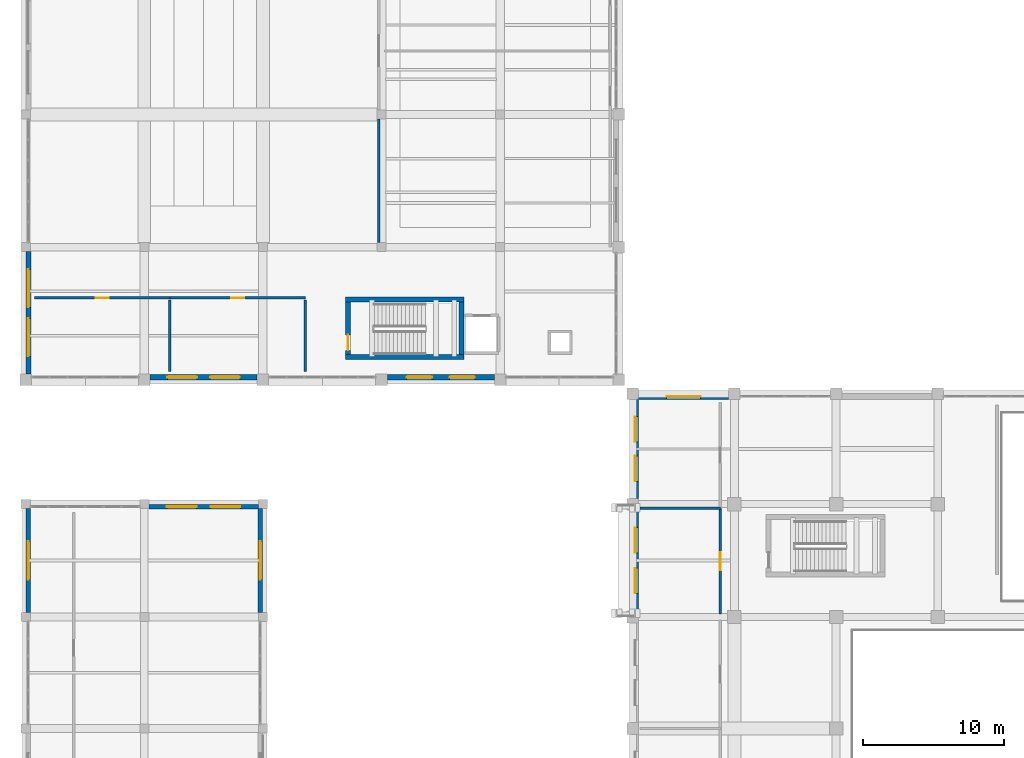
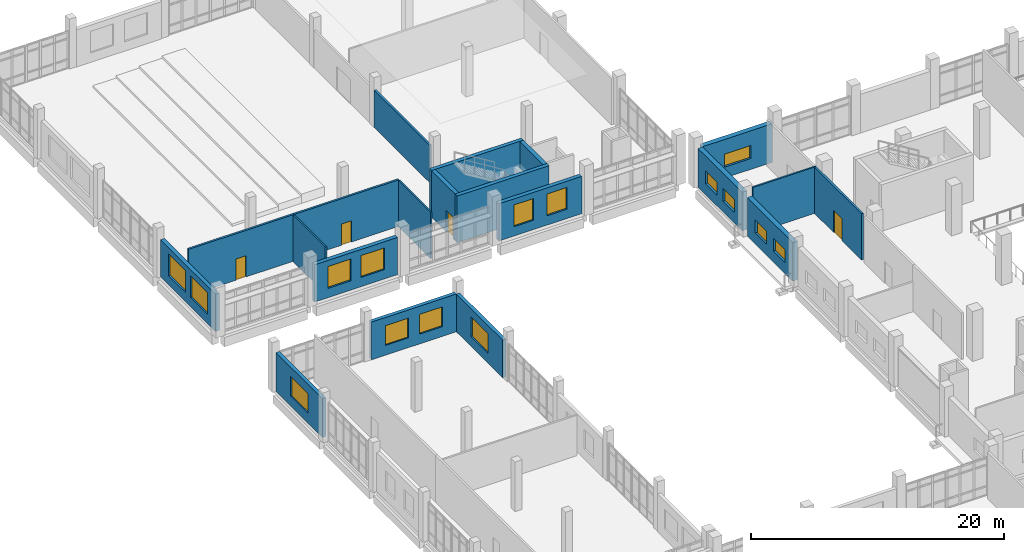
# One storey, part 68 of 90: 20 walls, 15 windows, 4 doors, 19 openings.
"""IFC4 building model written with IfcOpenShell, lengths in metres."""

import ifcopenshell
import ifcopenshell.guid

model = None  # the IFC model being written
_history = None  # IfcOwnerHistory: only IFC2X3 demands one
_inside = {}  # id of a spatial element -> (the spatial element, [elements in it])
_under = {}  # id of a project, library or spatial element -> (it, [spatial elements below it])
_declared = {}  # id of a project -> (the project, [libraries it declares])
_typed = {}  # id of a type object -> (the type object, [elements of that type])
_made_of = {}  # id of a material, layer set ... -> (it, [elements and type objects made of it])


def new_model(schema):
    """Start an empty IFC model of exactly this schema.

    Asked for "IFC4X3", IfcOpenShell would pick the latest addendum, in which some entities
    have other attributes; the version numbers below select the first issue.
    IFC2X3 requires an IfcOwnerHistory on every rooted entity: one is made here for all.
    """
    global model, _history
    if schema == "IFC4X3":
        model = ifcopenshell.file(schema_version=(4, 3, 0, 0))
    else:
        model = ifcopenshell.file(schema=schema)
    _inside.clear()
    _under.clear()
    _declared.clear()
    _typed.clear()
    _made_of.clear()
    _history = None
    if model.schema == "IFC2X3":
        org = make("IfcOrganization", Name="unknown")
        user = make(
            "IfcPersonAndOrganization",
            ThePerson=make("IfcPerson", FamilyName="unknown"),
            TheOrganization=org,
        )
        app = make(
            "IfcApplication",
            ApplicationDeveloper=org,
            Version="unknown",
            ApplicationFullName="unknown",
            ApplicationIdentifier="unknown",
        )
        _history = make(
            "IfcOwnerHistory",
            OwningUser=user,
            OwningApplication=app,
            ChangeAction="ADDED",
            CreationDate=0,
        )
    return model


def make(cls, **values):
    """One entity of the class cls with the attributes given. An attribute that is None is left unset."""
    return model.create_entity(
        cls, **{name: value for name, value in values.items() if value is not None}
    )


def rooted(cls, **values):
    """An entity with a GlobalId (a new one), such as an element, a storey or a relation."""
    return make(cls, GlobalId=ifcopenshell.guid.new(), OwnerHistory=_history, **values)


def si_unit(unit_type, name, prefix=None):
    """IfcSIUnit, for example si_unit("LENGTHUNIT", "METRE", prefix="MILLI")."""
    return make("IfcSIUnit", UnitType=unit_type, Prefix=prefix, Name=name)


def assignment(units):
    """IfcUnitAssignment: the units of a project."""
    return None if units is None else make("IfcUnitAssignment", Units=units)


def point(xyz):
    """IfcCartesianPoint."""
    return None if xyz is None else make("IfcCartesianPoint", Coordinates=xyz)


def direction(xyz):
    """IfcDirection."""
    return None if xyz is None else make("IfcDirection", DirectionRatios=xyz)


def frame(location, z_axis=None, x_axis=None):
    """IfcAxis2Placement3D, a coordinate frame: its origin and axes. An axis left out is left unset."""
    return make(
        "IfcAxis2Placement3D",
        Location=point(location),
        Axis=direction(z_axis),
        RefDirection=direction(x_axis),
    )


def frame_2d(location, x_axis=None):
    """IfcAxis2Placement2D, a coordinate frame in the plane: its origin and x axis."""
    return make(
        "IfcAxis2Placement2D", Location=point(location), RefDirection=direction(x_axis)
    )


def origin():
    """The frame at (0, 0, 0) with its axes left unset."""
    return frame((0.0, 0.0, 0.0))


def place(relative_to, where):
    """IfcLocalPlacement: puts the frame where relative to a parent placement (None: the world)."""
    return make(
        "IfcLocalPlacement", PlacementRelTo=relative_to, RelativePlacement=where
    )


def context(
    kind, dimensions, precision=None, world=None, true_north=None, identifier=None
):
    """IfcGeometricRepresentationContext, for example the 3D "Model" context."""
    return make(
        "IfcGeometricRepresentationContext",
        ContextIdentifier=identifier,
        ContextType=kind,
        CoordinateSpaceDimension=dimensions,
        Precision=precision,
        WorldCoordinateSystem=world,
        TrueNorth=true_north,
    )


def subcontext(parent, identifier, kind, view, scale=None):
    """IfcGeometricRepresentationSubContext, for example "Body" below "Model"."""
    return make(
        "IfcGeometricRepresentationSubContext",
        ContextIdentifier=identifier,
        ContextType=kind,
        ParentContext=parent,
        TargetScale=scale,
        TargetView=view,
    )


def project(units=None, contexts=None):
    """IfcProject with its units and contexts."""
    return rooted(
        "IfcProject",
        Name="project",
        RepresentationContexts=contexts,
        UnitsInContext=assignment(units),
    )


def spatial(cls, under=None, at=None, **own):
    """A site, building, storey or space (cls), placed at a placement, below another one or the project."""
    s = rooted(cls, ObjectPlacement=at, **own)
    if under is not None:
        _under.setdefault(under.id(), (under, []))[1].append(s)
    return s


def profile(cls, at=None, kind="AREA", **sizes):
    """A parametric profile (cls). Its sizes go by their IFC names, for example OverallWidth=200.0."""
    return make(cls, ProfileType=kind, Position=at, **sizes)


def rectangle(**sizes):
    """IfcRectangleProfileDef."""
    return profile("IfcRectangleProfileDef", **sizes)


def extrude(swept, where, along, depth):
    """IfcExtrudedAreaSolid: the profile swept, set in the frame where, extruded along a direction by depth."""
    return make(
        "IfcExtrudedAreaSolid",
        SweptArea=swept,
        Position=where,
        ExtrudedDirection=direction(along),
        Depth=depth,
    )


def shape(context_of_items, identifier, shape_type, items):
    """IfcShapeRepresentation: the items that make up one representation, for example the "Body"."""
    return make(
        "IfcShapeRepresentation",
        ContextOfItems=context_of_items,
        RepresentationIdentifier=identifier,
        RepresentationType=shape_type,
        Items=items,
    )


def material(Name=None, Category=None):
    """IfcMaterial."""
    return make("IfcMaterial", Name=Name, Category=Category)


def layer(
    of_material, thickness, ventilated=None, Name=None, Category=None, Priority=None
):
    """IfcMaterialLayer: one layer of a wall or slab, of a material (None: an air gap)."""
    return make(
        "IfcMaterialLayer",
        Material=of_material,
        LayerThickness=thickness,
        IsVentilated=ventilated,
        Name=Name,
        Category=Category,
        Priority=Priority,
    )


def layer_set(layers, Name=None):
    """IfcMaterialLayerSet."""
    return make("IfcMaterialLayerSet", MaterialLayers=layers, LayerSetName=Name)


def made_of(thing, what):
    """Note that an element or type object is made of a material, layer set ...; save() writes the relation."""
    if what is not None:
        _made_of.setdefault(what.id(), (what, []))[1].append(thing)
    return thing


def type_object(cls, material=None, **own):
    """A type object (cls), such as IfcWallType, which elements share."""
    return made_of(rooted(cls, **own), material)


def element(
    cls,
    number,
    at=None,
    inside=None,
    cuts=None,
    type_object=None,
    material=None,
    context=None,
    identifier="Body",
    shape_type=None,
    held_by="IfcProductDefinitionShape",
    body=None,
    shapes=None,
    **own,
):
    """One element of the class cls, such as IfcWall. Its Tag is "e" and its number.

    at: its placement. inside: the storey or other place that contains it. cuts: it is an
    opening in that element (IfcRelVoidsElement). A single representation is given by context,
    identifier, shape_type and body (its items); several are given by shapes. held_by: the class
    of the entity that holds the representations. save() writes the other relations.
    """
    e = rooted(cls, Tag="e%d" % number, ObjectPlacement=at, **own)
    if body is not None:
        shapes = [shape(context, identifier, shape_type, body)]
    if shapes is not None:
        e.Representation = make(held_by, Representations=shapes)
    if inside is not None:
        _inside.setdefault(inside.id(), (inside, []))[1].append(e)
    if cuts is not None:
        rooted(
            "IfcRelVoidsElement", RelatingBuildingElement=cuts, RelatedOpeningElement=e
        )
    if type_object is not None:
        _typed.setdefault(type_object.id(), (type_object, []))[1].append(e)
    return made_of(e, material)


def fill(opening, filler):
    """IfcRelFillsElement: the door or window that sits in an opening."""
    return rooted(
        "IfcRelFillsElement",
        RelatingOpeningElement=opening,
        RelatedBuildingElement=filler,
    )


def aggregate(whole, parts):
    """IfcRelAggregates: a whole, such as a stair, and the parts it consists of."""
    return rooted("IfcRelAggregates", RelatingObject=whole, RelatedObjects=parts)


def save(model, path):
    """Write the relations noted so far, then the file.

    IfcRelAggregates (storeys below a building ...), IfcRelContainedInSpatialStructure (elements
    in a storey), IfcRelDefinesByType, IfcRelAssociatesMaterial and IfcRelDeclares: one each for
    every whole, place, type object, material and project.
    """
    for whole, parts in _under.values():
        aggregate(whole, parts)
    for where, things in _inside.values():
        rooted(
            "IfcRelContainedInSpatialStructure",
            RelatedElements=things,
            RelatingStructure=where,
        )
    for kind, things in _typed.values():
        rooted("IfcRelDefinesByType", RelatedObjects=things, RelatingType=kind)
    for what, things in _made_of.values():
        rooted("IfcRelAssociatesMaterial", RelatedObjects=things, RelatingMaterial=what)
    for by, libraries in _declared.values():
        rooted("IfcRelDeclares", RelatingContext=by, RelatedDefinitions=libraries)
    model.write(path)


model = new_model("IFC4")

# Units and contexts
model_context = context("Model", 3, precision=1e-05, world=origin(), true_north=direction((0.0, 1.0)))
body_context = subcontext(model_context, "Body", "Model", "MODEL_VIEW")
ifc_project = project(units=[si_unit("LENGTHUNIT", "METRE"), si_unit("AREAUNIT", "SQUARE_METRE"), si_unit("VOLUMEUNIT", "CUBIC_METRE"), si_unit("PLANEANGLEUNIT", "RADIAN"), si_unit("MASSUNIT", "GRAM", prefix="KILO")], contexts=[model_context])

# Site, building, storey
site_placement = place(None, origin())
site = spatial("IfcSite", under=ifc_project, at=site_placement, CompositionType="ELEMENT")
building_placement = place(site_placement, origin())
building = spatial("IfcBuilding", under=site, at=building_placement, Name="Kelarvand Opera House", CompositionType="ELEMENT")
storey_placement = place(building_placement, frame((0.0, 0.0, 5.39990234375)))
storey = spatial("IfcBuildingStorey", under=building, at=storey_placement, Name="L01", CompositionType="ELEMENT", Elevation=5.39990234375)

# Walls
ifc_material_1 = material(Name="Acoustic double-stud gypsum partition")
ifc_layer_1 = layer(ifc_material_1, 0.14990234375, Name="Acoustic double-stud gypsum partition")
ifc_layer_set_1 = layer_set([ifc_layer_1], Name="Acoustic double-stud gypsum partition")
wall_type_1 = type_object("IfcWallType", Name="Acoustic Room Partition Wall 150", PredefinedType="PARTITIONING", material=ifc_layer_set_1)
wall_1_placement = place(storey_placement, frame((52.5, 78.10009765625, 0.0), z_axis=(0.0, 0.0, 1.0), x_axis=(1.0, 0.0, 0.0)))
element("IfcWall", 1, at=wall_1_placement, inside=storey, type_object=wall_type_1, Name="V2 L01 Partition Wall IW-150 (390)", PredefinedType="PARTITIONING", context=body_context, shape_type="SweptSolid", body=[
    extrude(rectangle(XDim=5.699951171875, YDim=0.14990234375, at=frame_2d((2.85009765625, 0.0))), origin(), (0.0, 0.0, 1.0), 4.47216796875),
])
for number, where, z_axis, x_axis, name in (
    (2, (19.199951171875, 87.800048828125, 0.0), (0.0, 0.0, 1.0), (0.0, 1.0, 0.0), "V3 L01 Partition Wall IW-150 (400)"),
    (3, (28.800048828125, 87.800048828125, 0.0), (0.0, 0.0, 1.0), (0.0, 1.0, 0.0), "V3 L01 Partition Wall IW-150 (401)"),
):
    element("IfcWall", number, at=place(storey_placement, frame(where, z_axis=z_axis, x_axis=x_axis)), inside=storey, type_object=wall_type_1, Name=name, PredefinedType="PARTITIONING", context=body_context, shape_type="SweptSolid", body=[
        extrude(rectangle(XDim=5.06005859375, YDim=0.14990234375, at=frame_2d((2.530029296875, 0.0))), origin(), (0.0, 0.0, 1.0), 4.4921875),
    ])

# Wall, openings, windows
ifc_material_2 = material(Name="Concrete C35/45", Category="concrete")
ifc_layer_2 = layer(ifc_material_2, 0.360107421875, Name="Concrete C35/45", Category="concrete")
ifc_layer_set_2 = layer_set([ifc_layer_2], Name="Concrete C35/45")
wall_type_2 = type_object("IfcWallType", Name="Azarshahr Travertine Cavity Wall 360", PredefinedType="SOLIDWALL", material=ifc_layer_set_2)
wall_2_placement = place(storey_placement, frame((9.179931640625, 87.610107421875, 0.0), z_axis=(0.0, 0.0, 1.0), x_axis=(0.0, 1.0, 0.0)))
wall_2 = element("IfcWall", 4, at=wall_2_placement, inside=storey, type_object=wall_type_2, Name="V3 L01 Exterior Wall EW-360 (410)", PredefinedType="SOLIDWALL", context=body_context, shape_type="SweptSolid", body=[
    extrude(rectangle(XDim=8.664794921875, YDim=0.360107421875, at=frame_2d((4.33251953125, 0.0))), origin(), (0.0, 0.0, 1.0), 3.592041015625),
])
opening_1_placement = place(wall_2_placement, frame((1.25, 0.0, 0.89990234375)))
opening_1 = element("IfcOpeningElement", 5, at=opening_1_placement, cuts=wall_2, Name="Opening WN-08", PredefinedType="OPENING", context=body_context, shape_type="SweptSolid", body=[
    extrude(rectangle(XDim=2.699951171875, YDim=2.10009765625, at=frame_2d((1.35009765625, 1.050048828125))), frame((0.0, 0.18994140625, 0.0), z_axis=(0.0, -1.0, 0.0), x_axis=(1.0, 0.0, 0.0)), (0.0, 0.0, 1.0), 0.380126953125),
])
opening_2_placement = place(wall_2_placement, frame((4.716064453125, 0.0, 0.89990234375)))
opening_2 = element("IfcOpeningElement", 6, at=opening_2_placement, cuts=wall_2, Name="Opening WN-08", PredefinedType="OPENING", context=body_context, shape_type="SweptSolid", body=[
    extrude(rectangle(XDim=2.699951171875, YDim=2.10009765625, at=frame_2d((1.35009765625, 1.050048828125))), frame((0.0, 0.18994140625, 0.0), z_axis=(0.0, -1.0, 0.0), x_axis=(1.0, 0.0, 0.0)), (0.0, 0.0, 1.0), 0.380126953125),
])
ifc_material_3 = material(Name="Thermally broken aluminium and low-E double glazing", Category="aluminium")
window_type_1 = type_object("IfcWindowType", Name="Recessed Aluminium Thermal Window 2700x2100 WN-08", PartitioningType="SINGLE_PANEL", PredefinedType="WINDOW", material=ifc_material_3)
window_1_placement = place(opening_1_placement, origin())
window_1 = element("IfcWindow", 7, at=window_1_placement, inside=storey, type_object=window_type_1, Name="V3 L01 Facade Window WN-08 (164)", OverallHeight=2.10009765625, OverallWidth=2.699951171875, PartitioningType="SINGLE_PANEL", PredefinedType="WINDOW", context=body_context, shape_type="SweptSolid", body=[
    extrude(rectangle(XDim=2.699951171875, YDim=2.10009765625, at=frame_2d((1.35009765625, 1.050048828125))), frame((0.0, 0.030029296875, 0.0), z_axis=(0.0, -1.0, 0.0), x_axis=(1.0, 0.0, 0.0)), (0.0, 0.0, 1.0), 0.06005859375),
])
fill(opening_1, window_1)
window_2_placement = place(opening_2_placement, origin())
window_2 = element("IfcWindow", 8, at=window_2_placement, inside=storey, type_object=window_type_1, Name="V3 L01 Facade Window WN-08 (165)", OverallHeight=2.10009765625, OverallWidth=2.699951171875, PartitioningType="SINGLE_PANEL", PredefinedType="WINDOW", context=body_context, shape_type="SweptSolid", body=[
    extrude(rectangle(XDim=2.699951171875, YDim=2.10009765625, at=frame_2d((1.35009765625, 1.050048828125))), frame((0.0, 0.030029296875, 0.0), z_axis=(0.0, -1.0, 0.0), x_axis=(1.0, 0.0, 0.0)), (0.0, 0.0, 1.0), 0.06005859375),
])
fill(opening_2, window_2)

wall_3_placement = place(storey_placement, frame((42.18994140625, 87.3798828125, 0.0), z_axis=(0.0, 0.0, 1.0), x_axis=(-1.0, 0.0, 0.0)))
wall_3 = element("IfcWall", 9, at=wall_3_placement, inside=storey, type_object=wall_type_2, Name="V3 L01 Exterior Wall EW-360 (412)", PredefinedType="SOLIDWALL", context=body_context, shape_type="SweptSolid", body=[
    extrude(rectangle(XDim=7.579833984375, YDim=0.360107421875, at=frame_2d((3.7900390625, 0.0))), origin(), (0.0, 0.0, 1.0), 3.592041015625),
])
opening_3_placement = place(wall_3_placement, frame((1.3740234375, 0.0, 0.89990234375)))
opening_3 = element("IfcOpeningElement", 10, at=opening_3_placement, cuts=wall_3, Name="Opening WN-05", PredefinedType="OPENING", context=body_context, shape_type="SweptSolid", body=[
    extrude(rectangle(XDim=1.800048828125, YDim=2.10009765625, at=frame_2d((0.89990234375, 1.050048828125))), frame((0.0, 0.18994140625, 0.0), z_axis=(0.0, -1.0, 0.0), x_axis=(1.0, 0.0, 0.0)), (0.0, 0.0, 1.0), 0.380126953125),
])
opening_4_placement = place(wall_3_placement, frame((4.406005859375, 0.0, 0.89990234375)))
opening_4 = element("IfcOpeningElement", 11, at=opening_4_placement, cuts=wall_3, Name="Opening WN-05", PredefinedType="OPENING", context=body_context, shape_type="SweptSolid", body=[
    extrude(rectangle(XDim=1.800048828125, YDim=2.10009765625, at=frame_2d((0.89990234375, 1.050048828125))), frame((0.0, 0.18994140625, 0.0), z_axis=(0.0, -1.0, 0.0), x_axis=(1.0, 0.0, 0.0)), (0.0, 0.0, 1.0), 0.380126953125),
])
window_type_2 = type_object("IfcWindowType", Name="Recessed Aluminium Thermal Window 1800x2100 WN-05", PartitioningType="SINGLE_PANEL", PredefinedType="WINDOW", material=ifc_material_3)
window_3_placement = place(opening_3_placement, origin())
window_3 = element("IfcWindow", 12, at=window_3_placement, inside=storey, type_object=window_type_2, Name="V3 L01 Facade Window WN-05 (168)", OverallHeight=2.10009765625, OverallWidth=1.800048828125, PartitioningType="SINGLE_PANEL", PredefinedType="WINDOW", context=body_context, shape_type="SweptSolid", body=[
    extrude(rectangle(XDim=1.800048828125, YDim=2.10009765625, at=frame_2d((0.89990234375, 1.050048828125))), frame((0.0, 0.030029296875, 0.0), z_axis=(0.0, -1.0, 0.0), x_axis=(1.0, 0.0, 0.0)), (0.0, 0.0, 1.0), 0.06005859375),
])
fill(opening_3, window_3)
window_4_placement = place(opening_4_placement, origin())
window_4 = element("IfcWindow", 13, at=window_4_placement, inside=storey, type_object=window_type_2, Name="V3 L01 Facade Window WN-05 (169)", OverallHeight=2.10009765625, OverallWidth=1.800048828125, PartitioningType="SINGLE_PANEL", PredefinedType="WINDOW", context=body_context, shape_type="SweptSolid", body=[
    extrude(rectangle(XDim=1.800048828125, YDim=2.10009765625, at=frame_2d((0.89990234375, 1.050048828125))), frame((0.0, 0.030029296875, 0.0), z_axis=(0.0, -1.0, 0.0), x_axis=(1.0, 0.0, 0.0)), (0.0, 0.0, 1.0), 0.06005859375),
])
fill(opening_4, window_4)

wall_4_placement = place(storey_placement, frame((25.389892578125, 87.3798828125, 0.0), z_axis=(0.0, 0.0, 1.0), x_axis=(-1.0, 0.0, 0.0)))
wall_4 = element("IfcWall", 14, at=wall_4_placement, inside=storey, type_object=wall_type_2, Name="V3 L01 Exterior Wall EW-360 (413)", PredefinedType="SOLIDWALL", context=body_context, shape_type="SweptSolid", body=[
    extrude(rectangle(XDim=7.579833984375, YDim=0.360107421875, at=frame_2d((3.7900390625, 0.0))), origin(), (0.0, 0.0, 1.0), 3.592041015625),
])
opening_5_placement = place(wall_4_placement, frame((1.22412109375, 0.0, 0.89990234375)))
opening_5 = element("IfcOpeningElement", 15, at=opening_5_placement, cuts=wall_4, Name="Opening WN-06", PredefinedType="OPENING", context=body_context, shape_type="SweptSolid", body=[
    extrude(rectangle(XDim=2.10009765625, YDim=2.10009765625, at=frame_2d((1.050048828125, 1.050048828125))), frame((0.0, 0.18994140625, 0.0), z_axis=(0.0, -1.0, 0.0), x_axis=(1.0, 0.0, 0.0)), (0.0, 0.0, 1.0), 0.380126953125),
])
opening_6_placement = place(wall_4_placement, frame((4.256103515625, 0.0, 0.89990234375)))
opening_6 = element("IfcOpeningElement", 16, at=opening_6_placement, cuts=wall_4, Name="Opening WN-06", PredefinedType="OPENING", context=body_context, shape_type="SweptSolid", body=[
    extrude(rectangle(XDim=2.10009765625, YDim=2.10009765625, at=frame_2d((1.050048828125, 1.050048828125))), frame((0.0, 0.18994140625, 0.0), z_axis=(0.0, -1.0, 0.0), x_axis=(1.0, 0.0, 0.0)), (0.0, 0.0, 1.0), 0.380126953125),
])
window_type_3 = type_object("IfcWindowType", Name="Recessed Aluminium Thermal Window 2100x2100 WN-06", PartitioningType="SINGLE_PANEL", PredefinedType="WINDOW", material=ifc_material_3)
window_5_placement = place(opening_5_placement, origin())
window_5 = element("IfcWindow", 17, at=window_5_placement, inside=storey, type_object=window_type_3, Name="V3 L01 Facade Window WN-06 (170)", OverallHeight=2.10009765625, OverallWidth=2.10009765625, PartitioningType="SINGLE_PANEL", PredefinedType="WINDOW", context=body_context, shape_type="SweptSolid", body=[
    extrude(rectangle(XDim=2.10009765625, YDim=2.10009765625, at=frame_2d((1.050048828125, 1.050048828125))), frame((0.0, 0.030029296875, 0.0), z_axis=(0.0, -1.0, 0.0), x_axis=(1.0, 0.0, 0.0)), (0.0, 0.0, 1.0), 0.06005859375),
])
fill(opening_5, window_5)
window_6_placement = place(opening_6_placement, origin())
window_6 = element("IfcWindow", 18, at=window_6_placement, inside=storey, type_object=window_type_3, Name="V3 L01 Facade Window WN-06 (171)", OverallHeight=2.10009765625, OverallWidth=2.10009765625, PartitioningType="SINGLE_PANEL", PredefinedType="WINDOW", context=body_context, shape_type="SweptSolid", body=[
    extrude(rectangle(XDim=2.10009765625, YDim=2.10009765625, at=frame_2d((1.050048828125, 1.050048828125))), frame((0.0, 0.030029296875, 0.0), z_axis=(0.0, -1.0, 0.0), x_axis=(1.0, 0.0, 0.0)), (0.0, 0.0, 1.0), 0.06005859375),
])
fill(opening_6, window_6)

# Walls
ifc_material_4 = material(Name="Concrete C40/50", Category="concrete")
ifc_layer_3 = layer(ifc_material_4, 0.35009765625, Name="Concrete C40/50", Category="concrete")
ifc_layer_set_3 = layer_set([ifc_layer_3], Name="Concrete C40/50")
wall_type_3 = type_object("IfcWallType", Name="Core Stair and Lift Shear Wall 350", PredefinedType="SHEAR", material=ifc_layer_set_3)
for number, where, z_axis, x_axis, name in (
    (19, (31.64990234375, 88.824951171875, 0.0), (0.0, 0.0, 1.0), (1.0, 0.0, 0.0), "C5 Stair Core Shear Wall S L01"),
    (20, (40.050048828125, 92.875, 0.0), (0.0, 0.0, 1.0), (-1.0, 0.0, 0.0), "C5 Stair Core Shear Wall N L01"),
):
    element("IfcWall", number, at=place(storey_placement, frame(where, z_axis=z_axis, x_axis=x_axis)), inside=storey, type_object=wall_type_3, Name=name, PredefinedType="SHEAR", context=body_context, shape_type="SweptSolid", body=[
        extrude(rectangle(XDim=8.400146484375, YDim=0.35009765625, at=frame_2d((4.2001953125, 0.0))), origin(), (0.0, 0.0, 1.0), 4.5),
    ])

# Wall, opening, door
wall_5_placement = place(storey_placement, frame((31.824951171875, 89.0, 0.0), z_axis=(0.0, 0.0, 1.0), x_axis=(0.0, 1.0, 0.0)))
wall_5 = element("IfcWall", 21, at=wall_5_placement, inside=storey, type_object=wall_type_3, Name="C5 Stair Core Shear Wall W L01", PredefinedType="SHEAR", context=body_context, shape_type="SweptSolid", body=[
    extrude(rectangle(XDim=3.699951171875, YDim=0.35009765625, at=frame_2d((1.85009765625, 0.0))), origin(), (0.0, 0.0, 1.0), 4.5),
])
opening_7_placement = place(wall_5_placement, frame((0.280029296875, 0.0, 0.0)))
opening_7 = element("IfcOpeningElement", 22, at=opening_7_placement, cuts=wall_5, Name="Opening FD-01", PredefinedType="OPENING", context=body_context, shape_type="SweptSolid", body=[
    extrude(rectangle(XDim=1.10009765625, YDim=2.080078125, at=frame_2d((0.550048828125, 1.0400390625))), frame((0.0, 0.18505859375, 0.0), z_axis=(0.0, -1.0, 0.0), x_axis=(1.0, 0.0, 0.0)), (0.0, 0.0, 1.0), 0.3701171875),
])
ifc_material_5 = material(Name="Fire-rated brushed stainless steel", Category="steel")
door_type_1 = type_object("IfcDoorType", Name="Steel Fire-Rated Stair and FF Lobby Door 1100x2080", OperationType="NOTDEFINED", PredefinedType="DOOR", material=ifc_material_5)
door_1_placement = place(opening_7_placement, origin())
door_1 = element("IfcDoor", 23, at=door_1_placement, inside=storey, type_object=door_type_1, Name="C5 Stair ST-05 Fire Door L01", OperationType="SINGLE_SWING_LEFT", OverallHeight=2.080078125, OverallWidth=1.10009765625, PredefinedType="DOOR", context=body_context, shape_type="SweptSolid", body=[
    extrude(rectangle(XDim=1.10009765625, YDim=2.080078125, at=frame_2d((0.550048828125, 1.0400390625))), frame((0.0, 0.02490234375, 0.0), z_axis=(0.0, -1.0, 0.0), x_axis=(1.0, 0.0, 0.0)), (0.0, 0.0, 1.0), 0.050048828125),
])
fill(opening_7, door_1)

# Wall
wall_6_placement = place(storey_placement, frame((39.875, 92.699951171875, 0.0), z_axis=(0.0, 0.0, 1.0), x_axis=(0.0, -1.0, 0.0)))
element("IfcWall", 24, at=wall_6_placement, inside=storey, type_object=wall_type_3, Name="C5 Stair Core Shear Wall E L01", PredefinedType="SHEAR", context=body_context, shape_type="SweptSolid", body=[
    extrude(rectangle(XDim=3.699951171875, YDim=0.35009765625, at=frame_2d((1.85009765625, 0.0))), origin(), (0.0, 0.0, 1.0), 4.5),
])

# Wall, opening, door
ifc_layer_4 = layer(ifc_material_2, 0.179931640625, Name="Concrete C35/45", Category="concrete")
ifc_layer_set_4 = layer_set([ifc_layer_4], Name="Concrete C35/45")
wall_type_4 = type_object("IfcWallType", Name="Corridor Fire-Rated Partition Wall 180 EI90", PredefinedType="PARTITIONING", material=ifc_layer_set_4)
wall_7_placement = place(storey_placement, frame((58.199951171875, 70.60009765625, 0.0), z_axis=(0.0, 0.0, 1.0), x_axis=(0.0, 1.0, 0.0)))
wall_7 = element("IfcWall", 25, at=wall_7_placement, inside=storey, type_object=wall_type_4, Name="V2 L01 Partition Wall IW-90 (389)", PredefinedType="PARTITIONING", context=body_context, shape_type="SweptSolid", body=[
    extrude(rectangle(XDim=7.5, YDim=0.179931640625, at=frame_2d((3.75, 0.0))), origin(), (0.0, 0.0, 1.0), 4.47216796875),
])
opening_8_placement = place(wall_7_placement, frame((3.110107421875, 0.0, 0.0)))
opening_8 = element("IfcOpeningElement", 26, at=opening_8_placement, cuts=wall_7, Name="Opening D-11", PredefinedType="OPENING", context=body_context, shape_type="SweptSolid", body=[
    extrude(rectangle(XDim=1.280029296875, YDim=2.139892578125, at=frame_2d((0.64013671875, 1.06982421875))), frame((0.0, 0.10009765625, 0.0), z_axis=(0.0, -1.0, 0.0), x_axis=(1.0, 0.0, 0.0)), (0.0, 0.0, 1.0), 0.199951171875),
])
ifc_material_6 = material(Name="Acoustic walnut-veneered hardwood", Category="wood")
door_type_2 = type_object("IfcDoorType", Name="Instrument Store Leaf-and-Half Door 1280x2140", OperationType="NOTDEFINED", PredefinedType="DOOR", material=ifc_material_6)
door_2_placement = place(opening_8_placement, origin())
door_2 = element("IfcDoor", 27, at=door_2_placement, inside=storey, type_object=door_type_2, Name="V2 L01 Door D-11 (170)", OperationType="SINGLE_SWING_RIGHT", OverallHeight=2.139892578125, OverallWidth=1.280029296875, PredefinedType="DOOR", context=body_context, shape_type="SweptSolid", body=[
    extrude(rectangle(XDim=1.280029296875, YDim=2.139892578125, at=frame_2d((0.64013671875, 1.06982421875))), frame((0.0, 0.02490234375, 0.0), z_axis=(0.0, -1.0, 0.0), x_axis=(1.0, 0.0, 0.0)), (0.0, 0.0, 1.0), 0.050048828125),
])
fill(opening_8, door_2)

# Wall
wall_8_placement = place(storey_placement, frame((34.0, 96.925048828125, 0.0), z_axis=(0.0, 0.0, 1.0), x_axis=(0.0, 1.0, 0.0)))
element("IfcWall", 28, at=wall_8_placement, inside=storey, type_object=wall_type_4, Name="V3 L01 Partition Wall IW-90 (393)", PredefinedType="PARTITIONING", context=body_context, shape_type="SweptSolid", body=[
    extrude(rectangle(XDim=8.75, YDim=0.179931640625, at=frame_2d((4.375, 0.0))), origin(), (0.0, 0.0, 1.0), 3.592041015625),
])

# Wall, opening, door
wall_9_placement = place(storey_placement, frame((9.60009765625, 93.0, 0.0), z_axis=(0.0, 0.0, 1.0), x_axis=(1.0, 0.0, 0.0)))
wall_9 = element("IfcWall", 29, at=wall_9_placement, inside=storey, type_object=wall_type_4, Name="V3 L01 Partition Wall IW-90 (399)", PredefinedType="PARTITIONING", context=body_context, shape_type="SweptSolid", body=[
    extrude(rectangle(XDim=9.599853515625, YDim=0.179931640625, at=frame_2d((4.7998046875, 0.0))), origin(), (0.0, 0.0, 1.0), 4.4921875),
])
opening_9_placement = place(wall_9_placement, frame((4.340087890625, 0.0, 0.0)))
opening_9 = element("IfcOpeningElement", 30, at=opening_9_placement, cuts=wall_9, Name="Opening D-01", PredefinedType="OPENING", context=body_context, shape_type="SweptSolid", body=[
    extrude(rectangle(XDim=0.919921875, YDim=2.050048828125, at=frame_2d((0.4599609375, 1.02490234375))), frame((0.0, 0.10009765625, 0.0), z_axis=(0.0, -1.0, 0.0), x_axis=(1.0, 0.0, 0.0)), (0.0, 0.0, 1.0), 0.199951171875),
])
door_type_3 = type_object("IfcDoorType", Name="Solid Timber Dressing and WC Door 920x2050", OperationType="NOTDEFINED", PredefinedType="DOOR", material=ifc_material_6)
door_3_placement = place(opening_9_placement, origin())
door_3 = element("IfcDoor", 31, at=door_3_placement, inside=storey, type_object=door_type_3, Name="V3 L01 Door D-01 (175)", OperationType="SINGLE_SWING_RIGHT", OverallHeight=2.050048828125, OverallWidth=0.919921875, PredefinedType="DOOR", context=body_context, shape_type="SweptSolid", body=[
    extrude(rectangle(XDim=0.919921875, YDim=2.050048828125, at=frame_2d((0.4599609375, 1.02490234375))), frame((0.0, 0.02490234375, 0.0), z_axis=(0.0, -1.0, 0.0), x_axis=(1.0, 0.0, 0.0)), (0.0, 0.0, 1.0), 0.050048828125),
])
fill(opening_9, door_3)

wall_10_placement = place(storey_placement, frame((19.199951171875, 93.0, 0.0), z_axis=(0.0, 0.0, 1.0), x_axis=(1.0, 0.0, 0.0)))
wall_10 = element("IfcWall", 32, at=wall_10_placement, inside=storey, type_object=wall_type_4, Name="V3 L01 Partition Wall IW-90 (402)", PredefinedType="PARTITIONING", context=body_context, shape_type="SweptSolid", body=[
    extrude(rectangle(XDim=9.60009765625, YDim=0.179931640625, at=frame_2d((4.800048828125, 0.0))), origin(), (0.0, 0.0, 1.0), 4.4921875),
])
opening_10_placement = place(wall_10_placement, frame((4.340087890625, 0.0, 0.0)))
opening_10 = element("IfcOpeningElement", 33, at=opening_10_placement, cuts=wall_10, Name="Opening D-01", PredefinedType="OPENING", context=body_context, shape_type="SweptSolid", body=[
    extrude(rectangle(XDim=0.919921875, YDim=2.050048828125, at=frame_2d((0.4599609375, 1.02490234375))), frame((0.0, 0.10009765625, 0.0), z_axis=(0.0, -1.0, 0.0), x_axis=(1.0, 0.0, 0.0)), (0.0, 0.0, 1.0), 0.199951171875),
])
door_4_placement = place(opening_10_placement, origin())
door_4 = element("IfcDoor", 34, at=door_4_placement, inside=storey, type_object=door_type_3, Name="V3 L01 Door D-01 (176)", OperationType="SINGLE_SWING_LEFT", OverallHeight=2.050048828125, OverallWidth=0.919921875, PredefinedType="DOOR", context=body_context, shape_type="SweptSolid", body=[
    extrude(rectangle(XDim=0.919921875, YDim=2.050048828125, at=frame_2d((0.4599609375, 1.02490234375))), frame((0.0, 0.02490234375, 0.0), z_axis=(0.0, -1.0, 0.0), x_axis=(1.0, 0.0, 0.0)), (0.0, 0.0, 1.0), 0.050048828125),
])
fill(opening_10, door_4)

# Wall, opening, window
ifc_layer_5 = layer(ifc_material_2, 0.320068359375, Name="Concrete C35/45", Category="concrete")
ifc_layer_set_5 = layer_set([ifc_layer_5], Name="Concrete C35/45")
wall_type_5 = type_object("IfcWallType", Name="Insulated Buff Brick Cavity Wall 320", PredefinedType="SOLIDWALL", material=ifc_layer_set_5)
wall_11_placement = place(storey_placement, frame((9.179931640625, 70.72509765625, 0.0), z_axis=(0.0, 0.0, 1.0), x_axis=(0.0, 1.0, 0.0)))
wall_11 = element("IfcWall", 35, at=wall_11_placement, inside=storey, type_object=wall_type_5, Name="V4 L01 Exterior Wall EW-320 (542)", PredefinedType="SOLIDWALL", context=body_context, shape_type="SweptSolid", body=[
    extrude(rectangle(XDim=7.349853515625, YDim=0.320068359375, at=frame_2d((3.6748046875, 0.0))), origin(), (0.0, 0.0, 1.0), 3.7421875),
])
opening_11_placement = place(wall_11_placement, frame((2.324951171875, 0.0, 0.949951171875)))
opening_11 = element("IfcOpeningElement", 36, at=opening_11_placement, cuts=wall_11, Name="Opening WN-15", PredefinedType="OPENING", context=body_context, shape_type="SweptSolid", body=[
    extrude(rectangle(XDim=2.699951171875, YDim=1.89990234375, at=frame_2d((1.35009765625, 0.949951171875))), frame((0.0, 0.169921875, 0.0), z_axis=(0.0, -1.0, 0.0), x_axis=(1.0, 0.0, 0.0)), (0.0, 0.0, 1.0), 0.340087890625),
])
window_type_4 = type_object("IfcWindowType", Name="Recessed Aluminium Thermal Window 2700x1900 WN-15", PartitioningType="SINGLE_PANEL", PredefinedType="WINDOW", material=ifc_material_3)
window_7_placement = place(opening_11_placement, origin())
window_7 = element("IfcWindow", 37, at=window_7_placement, inside=storey, type_object=window_type_4, Name="V4 L01 Facade Window WN-15 (260)", OverallHeight=1.89990234375, OverallWidth=2.699951171875, PartitioningType="SINGLE_PANEL", PredefinedType="WINDOW", context=body_context, shape_type="SweptSolid", body=[
    extrude(rectangle(XDim=2.699951171875, YDim=1.89990234375, at=frame_2d((1.35009765625, 0.949951171875))), frame((0.0, 0.030029296875, 0.0), z_axis=(0.0, -1.0, 0.0), x_axis=(1.0, 0.0, 0.0)), (0.0, 0.0, 1.0), 0.06005859375),
])
fill(opening_11, window_7)

# Wall, openings, windows
wall_12_placement = place(storey_placement, frame((17.72509765625, 78.219970703125, 0.0), z_axis=(0.0, 0.0, 1.0), x_axis=(1.0, 0.0, 0.0)))
wall_12 = element("IfcWall", 38, at=wall_12_placement, inside=storey, type_object=wall_type_5, Name="V4 L01 Exterior Wall EW-320 (543)", PredefinedType="SOLIDWALL", context=body_context, shape_type="SweptSolid", body=[
    extrude(rectangle(XDim=7.75, YDim=0.320068359375, at=frame_2d((3.875, 0.0))), origin(), (0.0, 0.0, 1.0), 3.64208984375),
])
opening_12_placement = place(wall_12_placement, frame((1.27490234375, 0.0, 0.949951171875)))
opening_12 = element("IfcOpeningElement", 39, at=opening_12_placement, cuts=wall_12, Name="Opening WN-13", PredefinedType="OPENING", context=body_context, shape_type="SweptSolid", body=[
    extrude(rectangle(XDim=2.10009765625, YDim=1.89990234375, at=frame_2d((1.050048828125, 0.949951171875))), frame((0.0, 0.169921875, 0.0), z_axis=(0.0, -1.0, 0.0), x_axis=(1.0, 0.0, 0.0)), (0.0, 0.0, 1.0), 0.340087890625),
])
opening_13_placement = place(wall_12_placement, frame((4.375, 0.0, 0.949951171875)))
opening_13 = element("IfcOpeningElement", 40, at=opening_13_placement, cuts=wall_12, Name="Opening WN-13", PredefinedType="OPENING", context=body_context, shape_type="SweptSolid", body=[
    extrude(rectangle(XDim=2.10009765625, YDim=1.89990234375, at=frame_2d((1.050048828125, 0.949951171875))), frame((0.0, 0.169921875, 0.0), z_axis=(0.0, -1.0, 0.0), x_axis=(1.0, 0.0, 0.0)), (0.0, 0.0, 1.0), 0.340087890625),
])
window_type_5 = type_object("IfcWindowType", Name="Recessed Aluminium Thermal Window 2100x1900 WN-13", PartitioningType="SINGLE_PANEL", PredefinedType="WINDOW", material=ifc_material_3)
window_8_placement = place(opening_12_placement, origin())
window_8 = element("IfcWindow", 41, at=window_8_placement, inside=storey, type_object=window_type_5, Name="V4 L01 Facade Window WN-13 (261)", OverallHeight=1.89990234375, OverallWidth=2.10009765625, PartitioningType="SINGLE_PANEL", PredefinedType="WINDOW", context=body_context, shape_type="SweptSolid", body=[
    extrude(rectangle(XDim=2.10009765625, YDim=1.89990234375, at=frame_2d((1.050048828125, 0.949951171875))), frame((0.0, 0.030029296875, 0.0), z_axis=(0.0, -1.0, 0.0), x_axis=(1.0, 0.0, 0.0)), (0.0, 0.0, 1.0), 0.06005859375),
])
fill(opening_12, window_8)
window_9_placement = place(opening_13_placement, origin())
window_9 = element("IfcWindow", 42, at=window_9_placement, inside=storey, type_object=window_type_5, Name="V4 L01 Facade Window WN-13 (262)", OverallHeight=1.89990234375, OverallWidth=2.10009765625, PartitioningType="SINGLE_PANEL", PredefinedType="WINDOW", context=body_context, shape_type="SweptSolid", body=[
    extrude(rectangle(XDim=2.10009765625, YDim=1.89990234375, at=frame_2d((1.050048828125, 0.949951171875))), frame((0.0, 0.030029296875, 0.0), z_axis=(0.0, -1.0, 0.0), x_axis=(1.0, 0.0, 0.0)), (0.0, 0.0, 1.0), 0.06005859375),
])
fill(opening_13, window_9)

# Wall, opening, window
wall_13_placement = place(storey_placement, frame((25.6201171875, 78.074951171875, 0.0), z_axis=(0.0, 0.0, 1.0), x_axis=(0.0, -1.0, 0.0)))
wall_13 = element("IfcWall", 43, at=wall_13_placement, inside=storey, type_object=wall_type_5, Name="V4 L01 Exterior Wall EW-320 (544)", PredefinedType="SOLIDWALL", context=body_context, shape_type="SweptSolid", body=[
    extrude(rectangle(XDim=7.349853515625, YDim=0.320068359375, at=frame_2d((3.6748046875, 0.0))), origin(), (0.0, 0.0, 1.0), 3.64208984375),
])
opening_14_placement = place(wall_13_placement, frame((2.324951171875, 0.0, 0.949951171875)))
opening_14 = element("IfcOpeningElement", 44, at=opening_14_placement, cuts=wall_13, Name="Opening WN-15", PredefinedType="OPENING", context=body_context, shape_type="SweptSolid", body=[
    extrude(rectangle(XDim=2.699951171875, YDim=1.89990234375, at=frame_2d((1.35009765625, 0.949951171875))), frame((0.0, 0.169921875, 0.0), z_axis=(0.0, -1.0, 0.0), x_axis=(1.0, 0.0, 0.0)), (0.0, 0.0, 1.0), 0.340087890625),
])
window_10_placement = place(opening_14_placement, origin())
window_10 = element("IfcWindow", 45, at=window_10_placement, inside=storey, type_object=window_type_4, Name="V4 L01 Facade Window WN-15 (263)", OverallHeight=1.89990234375, OverallWidth=2.699951171875, PartitioningType="SINGLE_PANEL", PredefinedType="WINDOW", context=body_context, shape_type="SweptSolid", body=[
    extrude(rectangle(XDim=2.699951171875, YDim=1.89990234375, at=frame_2d((1.35009765625, 0.949951171875))), frame((0.0, 0.030029296875, 0.0), z_axis=(0.0, -1.0, 0.0), x_axis=(1.0, 0.0, 0.0)), (0.0, 0.0, 1.0), 0.06005859375),
])
fill(opening_14, window_10)

ifc_layer_6 = layer(ifc_material_2, 0.43994140625, Name="Concrete C35/45", Category="concrete")
ifc_layer_set_6 = layer_set([ifc_layer_6], Name="Concrete C35/45")
wall_type_6 = type_object("IfcWallType", Name="Stage House Acoustic Cavity Wall 440", PredefinedType="SOLIDWALL", material=ifc_layer_set_6)
wall_14_placement = place(storey_placement, frame((52.409912109375, 86.02001953125, 0.0), z_axis=(0.0, 0.0, 1.0), x_axis=(1.0, 0.0, 0.0)))
wall_14 = element("IfcWall", 46, at=wall_14_placement, inside=storey, type_object=wall_type_6, Name="V2 L01 Exterior Wall EW-440 (246)", PredefinedType="SOLIDWALL", context=body_context, shape_type="SweptSolid", body=[
    extrude(rectangle(XDim=6.380126953125, YDim=0.43994140625, at=frame_2d((3.18994140625, 0.0))), origin(), (0.0, 0.0, 1.0), 3.72216796875),
])
opening_15_placement = place(wall_14_placement, frame((1.989990234375, 0.0, 1.050048828125)))
opening_15 = element("IfcOpeningElement", 47, at=opening_15_placement, cuts=wall_14, Name="Opening WN-22", PredefinedType="OPENING", context=body_context, shape_type="SweptSolid", body=[
    extrude(rectangle(XDim=2.39990234375, YDim=1.25, at=frame_2d((1.199951171875, 0.625))), frame((0.0, 0.22998046875, 0.0), z_axis=(0.0, -1.0, 0.0), x_axis=(1.0, 0.0, 0.0)), (0.0, 0.0, 1.0), 0.4599609375),
])
window_type_6 = type_object("IfcWindowType", Name="Recessed Aluminium Thermal Window 2400x1250 WN-22", PartitioningType="SINGLE_PANEL", PredefinedType="WINDOW", material=ifc_material_3)
window_11_placement = place(opening_15_placement, origin())
window_11 = element("IfcWindow", 48, at=window_11_placement, inside=storey, type_object=window_type_6, Name="V2 L01 Facade Window WN-22 (19)", OverallHeight=1.25, OverallWidth=2.39990234375, PartitioningType="SINGLE_PANEL", PredefinedType="WINDOW", context=body_context, shape_type="SweptSolid", body=[
    extrude(rectangle(XDim=2.39990234375, YDim=1.25, at=frame_2d((1.199951171875, 0.625))), frame((0.0, 0.030029296875, 0.0), z_axis=(0.0, -1.0, 0.0), x_axis=(1.0, 0.0, 0.0)), (0.0, 0.0, 1.0), 0.06005859375),
])
fill(opening_15, window_11)

# Wall, openings, windows
wall_15_placement = place(storey_placement, frame((52.179931640625, 70.81005859375, 0.0), z_axis=(0.0, 0.0, 1.0), x_axis=(0.0, 1.0, 0.0)))
wall_15 = element("IfcWall", 49, at=wall_15_placement, inside=storey, type_object=wall_type_6, Name="V2 L01 Exterior Wall EW-440 (253)", PredefinedType="SOLIDWALL", context=body_context, shape_type="SweptSolid", body=[
    extrude(rectangle(XDim=7.179931640625, YDim=0.43994140625, at=frame_2d((3.58984375, 0.0))), origin(), (0.0, 0.0, 1.0), 3.72216796875),
])
opening_16_placement = place(wall_15_placement, frame((1.25390625, 0.0, 1.050048828125)))
opening_16 = element("IfcOpeningElement", 50, at=opening_16_placement, cuts=wall_15, Name="Opening WN-23", PredefinedType="OPENING", context=body_context, shape_type="SweptSolid", body=[
    extrude(rectangle(XDim=1.800048828125, YDim=1.25, at=frame_2d((0.89990234375, 0.625))), frame((0.0, 0.22998046875, 0.0), z_axis=(0.0, -1.0, 0.0), x_axis=(1.0, 0.0, 0.0)), (0.0, 0.0, 1.0), 0.4599609375),
])
opening_17_placement = place(wall_15_placement, frame((4.1259765625, 0.0, 1.050048828125)))
opening_17 = element("IfcOpeningElement", 51, at=opening_17_placement, cuts=wall_15, Name="Opening WN-23", PredefinedType="OPENING", context=body_context, shape_type="SweptSolid", body=[
    extrude(rectangle(XDim=1.800048828125, YDim=1.25, at=frame_2d((0.89990234375, 0.625))), frame((0.0, 0.22998046875, 0.0), z_axis=(0.0, -1.0, 0.0), x_axis=(1.0, 0.0, 0.0)), (0.0, 0.0, 1.0), 0.4599609375),
])
window_type_7 = type_object("IfcWindowType", Name="Recessed Aluminium Thermal Window 1800x1250 WN-23", PartitioningType="SINGLE_PANEL", PredefinedType="WINDOW", material=ifc_material_3)
window_12_placement = place(opening_16_placement, origin())
window_12 = element("IfcWindow", 52, at=window_12_placement, inside=storey, type_object=window_type_7, Name="V2 L01 Facade Window WN-23 (29)", OverallHeight=1.25, OverallWidth=1.800048828125, PartitioningType="SINGLE_PANEL", PredefinedType="WINDOW", context=body_context, shape_type="SweptSolid", body=[
    extrude(rectangle(XDim=1.800048828125, YDim=1.25, at=frame_2d((0.89990234375, 0.625))), frame((0.0, 0.030029296875, 0.0), z_axis=(0.0, -1.0, 0.0), x_axis=(1.0, 0.0, 0.0)), (0.0, 0.0, 1.0), 0.06005859375),
])
fill(opening_16, window_12)
window_13_placement = place(opening_17_placement, origin())
window_13 = element("IfcWindow", 53, at=window_13_placement, inside=storey, type_object=window_type_7, Name="V2 L01 Facade Window WN-23 (30)", OverallHeight=1.25, OverallWidth=1.800048828125, PartitioningType="SINGLE_PANEL", PredefinedType="WINDOW", context=body_context, shape_type="SweptSolid", body=[
    extrude(rectangle(XDim=1.800048828125, YDim=1.25, at=frame_2d((0.89990234375, 0.625))), frame((0.0, 0.030029296875, 0.0), z_axis=(0.0, -1.0, 0.0), x_axis=(1.0, 0.0, 0.0)), (0.0, 0.0, 1.0), 0.06005859375),
])
fill(opening_17, window_13)

wall_16_placement = place(storey_placement, frame((52.179931640625, 78.81005859375, 0.0), z_axis=(0.0, 0.0, 1.0), x_axis=(0.0, 1.0, 0.0)))
wall_16 = element("IfcWall", 54, at=wall_16_placement, inside=storey, type_object=wall_type_6, Name="V2 L01 Exterior Wall EW-440 (254)", PredefinedType="SOLIDWALL", context=body_context, shape_type="SweptSolid", body=[
    extrude(rectangle(XDim=6.97998046875, YDim=0.43994140625, at=frame_2d((3.489990234375, 0.0))), origin(), (0.0, 0.0, 1.0), 3.72216796875),
])
opening_18_placement = place(wall_16_placement, frame((1.194091796875, 0.0, 1.050048828125)))
opening_18 = element("IfcOpeningElement", 55, at=opening_18_placement, cuts=wall_16, Name="Opening WN-23", PredefinedType="OPENING", context=body_context, shape_type="SweptSolid", body=[
    extrude(rectangle(XDim=1.800048828125, YDim=1.25, at=frame_2d((0.89990234375, 0.625))), frame((0.0, 0.22998046875, 0.0), z_axis=(0.0, -1.0, 0.0), x_axis=(1.0, 0.0, 0.0)), (0.0, 0.0, 1.0), 0.4599609375),
])
opening_19_placement = place(wall_16_placement, frame((3.986083984375, 0.0, 1.050048828125)))
opening_19 = element("IfcOpeningElement", 56, at=opening_19_placement, cuts=wall_16, Name="Opening WN-23", PredefinedType="OPENING", context=body_context, shape_type="SweptSolid", body=[
    extrude(rectangle(XDim=1.800048828125, YDim=1.25, at=frame_2d((0.89990234375, 0.625))), frame((0.0, 0.22998046875, 0.0), z_axis=(0.0, -1.0, 0.0), x_axis=(1.0, 0.0, 0.0)), (0.0, 0.0, 1.0), 0.4599609375),
])
window_14_placement = place(opening_18_placement, origin())
window_14 = element("IfcWindow", 57, at=window_14_placement, inside=storey, type_object=window_type_7, Name="V2 L01 Facade Window WN-23 (31)", OverallHeight=1.25, OverallWidth=1.800048828125, PartitioningType="SINGLE_PANEL", PredefinedType="WINDOW", context=body_context, shape_type="SweptSolid", body=[
    extrude(rectangle(XDim=1.800048828125, YDim=1.25, at=frame_2d((0.89990234375, 0.625))), frame((0.0, 0.030029296875, 0.0), z_axis=(0.0, -1.0, 0.0), x_axis=(1.0, 0.0, 0.0)), (0.0, 0.0, 1.0), 0.06005859375),
])
fill(opening_18, window_14)
window_15_placement = place(opening_19_placement, origin())
window_15 = element("IfcWindow", 58, at=window_15_placement, inside=storey, type_object=window_type_7, Name="V2 L01 Facade Window WN-23 (32)", OverallHeight=1.25, OverallWidth=1.800048828125, PartitioningType="SINGLE_PANEL", PredefinedType="WINDOW", context=body_context, shape_type="SweptSolid", body=[
    extrude(rectangle(XDim=1.800048828125, YDim=1.25, at=frame_2d((0.89990234375, 0.625))), frame((0.0, 0.030029296875, 0.0), z_axis=(0.0, -1.0, 0.0), x_axis=(1.0, 0.0, 0.0)), (0.0, 0.0, 1.0), 0.06005859375),
])
fill(opening_19, window_15)

save(model, "model.ifc")
